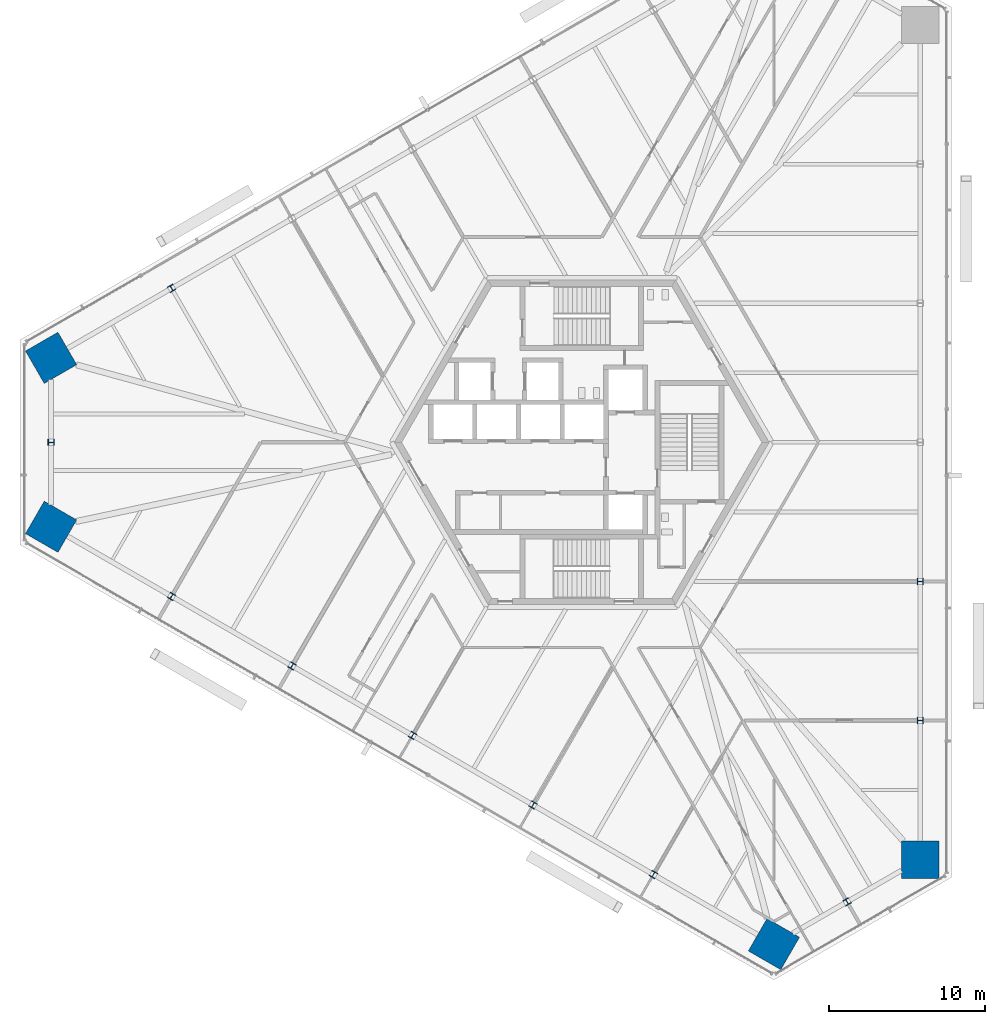
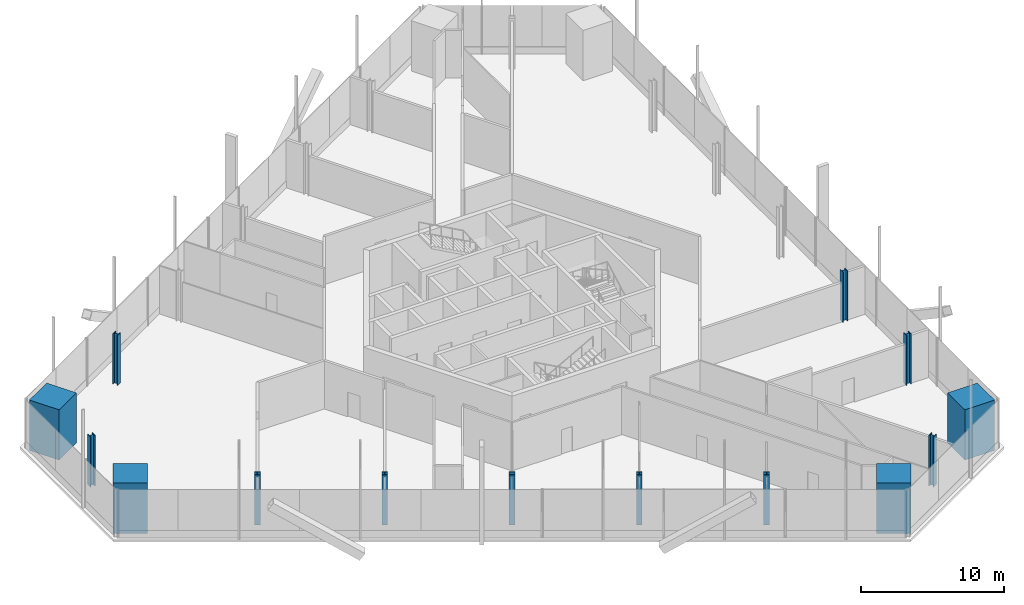
# One storey, part 1 of 19: 14 columns.
"""IFC4 building model written with IfcOpenShell, lengths in metres."""

from ifc_helpers import new_model, si_unit, direction, frame, origin, origin_2d, place, context, subcontext, project, spatial, rectangle, i_section, extrude, source, transform, mapped, material, material_profile, profile_set, type_object, element, save


model = new_model("IFC4")

# Units and contexts
model_context = context("Model", 3, precision=1e-05, world=origin(), true_north=direction((0.0, 1.0)))
body_context = subcontext(model_context, "Body", "Model", "MODEL_VIEW")
ifc_project = project(units=[si_unit("LENGTHUNIT", "METRE"), si_unit("AREAUNIT", "SQUARE_METRE"), si_unit("VOLUMEUNIT", "CUBIC_METRE"), si_unit("PLANEANGLEUNIT", "RADIAN"), si_unit("MASSUNIT", "GRAM", prefix="KILO")], contexts=[model_context])

# Site, building, storey
site_placement = place(None, origin())
site = spatial("IfcSite", under=ifc_project, at=site_placement, CompositionType="ELEMENT")
building_placement = place(site_placement, origin())
building = spatial("IfcBuilding", under=site, at=building_placement, Name="Triune Harvest Tower", CompositionType="ELEMENT")
storey_placement = place(building_placement, frame((0.0, 0.0, 41.800048828125)))
storey = spatial("IfcBuildingStorey", under=building, at=storey_placement, Name="L09", CompositionType="ELEMENT", Elevation=41.800048828125)

# Columns
ifc_material_1 = material(Name="Concrete 70 MPa", Category="concrete")
ifc_material_profile_1 = material_profile(ifc_material_1, rectangle(XDim=2.39990234375, YDim=2.39990234375, at=origin_2d()), Name="Composite 2400x2400")
ifc_profile_set_1 = profile_set([ifc_material_profile_1], Name="Concrete 70 MPa")
column_type_1 = type_object("IfcColumnType", Name="MC-1 Mega column Composite 2400x2400", PredefinedType="COLUMN", material=ifc_profile_set_1)
shared_shape_1 = source(origin(), body_context, "Body", "SweptSolid", [
    extrude(rectangle(XDim=2.39990234375, YDim=2.39990234375, at=origin_2d()), origin(), (0.0, 0.0, 1.0), 4.300048828125),
])
for number, where, z_axis, x_axis, name in (
    (1, (21.679443359375, -26.72998046875, 0.0), (0.0, 0.0, 1.0), (0.0, 1.0, 0.0), "col/L09/M0"),
    (2, (-33.988525390625, 5.409912109375, 0.0), (0.0, 0.0, 1.0), (-0.866025403784, -0.5, 0.0), "col/L09/M14"),
    (3, (-33.988525390625, -5.409912109375, 0.0), (0.0, 0.0, 1.0), (0.866025403784, -0.5, 0.0), "col/L09/M16"),
    (4, (12.30908203125, -32.139892578125, 0.0), (0.0, 0.0, 1.0), (0.866025403784, -0.5, 0.0), "col/L09/M22"),
):
    element("IfcColumn", number, at=place(storey_placement, frame(where, z_axis=z_axis, x_axis=x_axis)), inside=storey, type_object=column_type_1, Name=name, PredefinedType="COLUMN", context=body_context, shape_type="MappedRepresentation", body=[
        mapped(shared_shape_1, transform((0.0, 0.0, 0.0), scale=1.0)),
    ])
ifc_material_2 = material(Name="Steel ASTM A992 Gr 50", Category="steel")
ifc_material_profile_2 = material_profile(ifc_material_2, i_section(OverallWidth=0.40380859375, OverallDepth=0.406494140625, WebThickness=0.027099609375, FlangeThickness=0.043701171875, at=origin_2d()), Name="W14x233")
ifc_profile_set_2 = profile_set([ifc_material_profile_2], Name="Steel ASTM A992 Gr 50")
column_type_2 = type_object("IfcColumnType", Name="PC-1 Perimeter column W14x233", PredefinedType="COLUMN", material=ifc_profile_set_2)
shared_shape_2 = source(origin(), body_context, "Body", "SweptSolid", [
    extrude(i_section(OverallWidth=0.40380859375, OverallDepth=0.406494140625, WebThickness=0.027099609375, FlangeThickness=0.043701171875, at=origin_2d()), origin(), (0.0, 0.0, 1.0), 4.300048828125),
])
for number, where, z_axis, x_axis, name in (
    (5, (21.679443359375, -17.820068359375, 0.0), (0.0, 0.0, 1.0), (0.0, 1.0, 0.0), "col/L09/P1"),
    (6, (21.679443359375, -8.909912109375, 0.0), (0.0, 0.0, 1.0), (0.0, 1.0, 0.0), "col/L09/P2"),
    (7, (-26.272216796875, 9.864990234375, 0.0), (0.0, 0.0, 1.0), (-0.866025403784, -0.5, 0.0), "col/L09/P13"),
    (8, (-33.988525390625, 0.0, 0.0), (0.0, 0.0, 1.0), (0.0, -1.0, 0.0), "col/L09/P15"),
    (9, (-26.272216796875, -9.864990234375, 0.0), (0.0, 0.0, 1.0), (0.866025403784, -0.5, 0.0), "col/L09/P17"),
    (10, (-18.555908203125, -14.320068359375, 0.0), (0.0, 0.0, 1.0), (0.866025403784, -0.5, 0.0), "col/L09/P18"),
    (11, (-10.839599609375, -18.77490234375, 0.0), (0.0, 0.0, 1.0), (0.866025403784, -0.5, 0.0), "col/L09/P19"),
    (12, (-3.12353515625, -23.22998046875, 0.0), (0.0, 0.0, 1.0), (0.866025403784, -0.5, 0.0), "col/L09/P20"),
    (13, (4.5927734375, -27.68505859375, 0.0), (0.0, 0.0, 1.0), (0.866025403784, -0.5, 0.0), "col/L09/P21"),
    (14, (16.994384765625, -29.43505859375, 0.0), (0.0, 0.0, 1.0), (0.866026276448, 0.4999984885, 0.0), "col/L09/P23"),
):
    element("IfcColumn", number, at=place(storey_placement, frame(where, z_axis=z_axis, x_axis=x_axis)), inside=storey, type_object=column_type_2, Name=name, PredefinedType="COLUMN", context=body_context, shape_type="MappedRepresentation", body=[
        mapped(shared_shape_2, transform((0.0, 0.0, 0.0), scale=1.0)),
    ])

save(model, "model.ifc")
